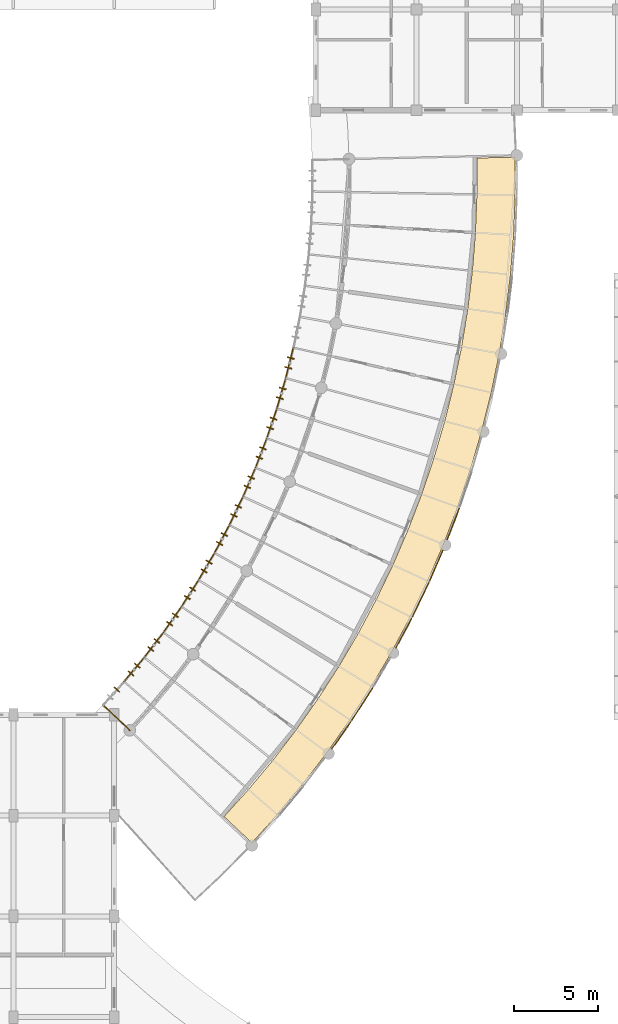
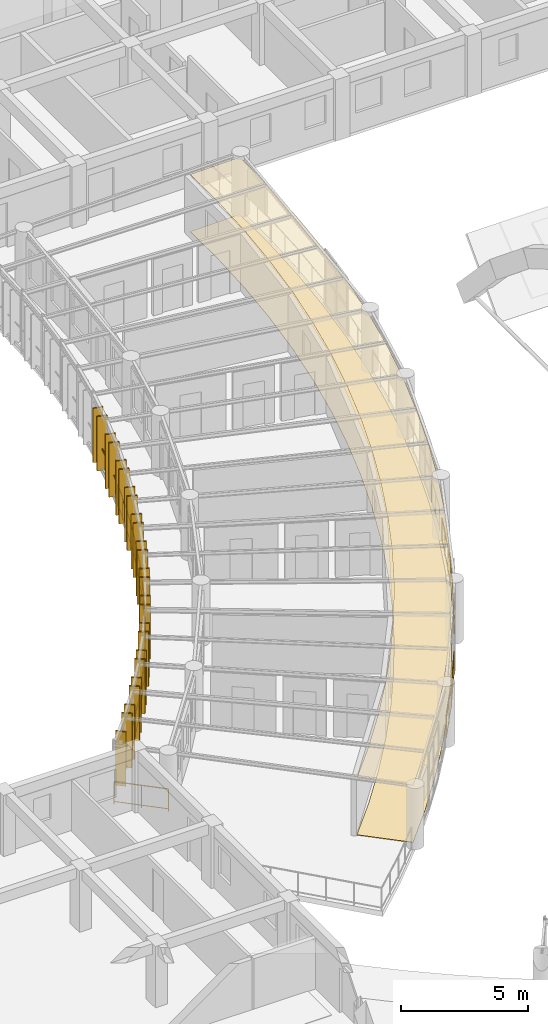
# One storey, part 111 of 123: 25 shading devices, 19 railings, 2 coverings.
"""IFC4 building model written with IfcOpenShell, lengths in metres."""

from ifc_helpers import new_model, si_unit, direction, frame, origin, origin_2d, place, context, subcontext, project, spatial, polyline, rectangle, circle, outline, extrude, material, layer, layer_set, type_object, element, save


model = new_model("IFC4")

# Units and contexts
model_context = context("Model", 3, precision=1e-05, world=origin(), true_north=direction((0.0, 1.0)))
body_context = subcontext(model_context, "Body", "Model", "MODEL_VIEW")
ifc_project = project(units=[si_unit("LENGTHUNIT", "METRE"), si_unit("AREAUNIT", "SQUARE_METRE"), si_unit("VOLUMEUNIT", "CUBIC_METRE"), si_unit("PLANEANGLEUNIT", "RADIAN"), si_unit("MASSUNIT", "GRAM", prefix="KILO"), si_unit("POWERUNIT", "WATT"), si_unit("THERMODYNAMICTEMPERATUREUNIT", "KELVIN")], contexts=[model_context])

# Site, building, storey
site_placement = place(None, origin())
site = spatial("IfcSite", under=ifc_project, at=site_placement, CompositionType="ELEMENT")
building_placement = place(site_placement, origin())
building = spatial("IfcBuilding", under=site, at=building_placement, Name="Ruvembo Vaulted Housing Court", CompositionType="ELEMENT")
storey_placement = place(building_placement, frame((0.0, 0.0, 7.699951171875)))
storey = spatial("IfcBuildingStorey", under=building, at=storey_placement, Name="L02", CompositionType="ELEMENT", Elevation=7.699951171875)

# Coverings
ifc_material_1 = material(Name="Perforated Mineral-Fibre Acoustic Tile", Category="gypsum")
ifc_layer_1 = layer(ifc_material_1, 0.02001953125, Name="Perforated Mineral-Fibre Acoustic Tile")
ifc_layer_set_1 = layer_set([ifc_layer_1], Name="Perforated Mineral-Fibre Acoustic Tile")
covering_type_1 = type_object("IfcCoveringType", Name="COV-CEIL-ACOUST", PredefinedType="CEILING", material=ifc_layer_set_1)
covering_1_placement = place(storey_placement, frame((0.0, 0.0, 2.75)))
element("IfcCovering", 1, at=covering_1_placement, inside=storey, type_object=covering_type_1, Name="Scoop SC1 L02 Shaded Access Gallery Ceiling", PredefinedType="CEILING", context=body_context, shape_type="SweptSolid", body=[
    extrude(outline(polyline([(44.201416015625, 34.37646484375), (45.718994140625, 36.053955078125), (47.23681640625, 37.876708984375), (48.6787109375, 39.76025390625), (50.0419921875, 41.701171875), (51.324951171875, 43.6962890625), (52.52490234375, 45.742431640625), (53.64013671875, 47.8359375), (54.66845703125, 49.973388671875), (55.608642578125, 52.151123046875), (56.45849609375, 54.36572265625), (57.21728515625, 56.613037109375), (57.88330078125, 58.8896484375), (58.455322265625, 61.191650390625), (58.9326171875, 63.51513671875), (59.314208984375, 65.856201171875), (59.599853515625, 68.2109375), (59.78857421875, 70.575439453125), (59.88037109375, 72.94580078125), (59.875244140625, 75.207763671875), (57.595703125, 75.156005859375), (57.600830078125, 72.989501953125), (57.6005859375, 72.985107421875), (57.5126953125, 70.712646484375), (57.512451171875, 70.7080078125), (57.33154296875, 68.441162109375), (57.3310546875, 68.436767578125), (57.057373046875, 66.17919921875), (57.056640625, 66.1748046875), (56.690673828125, 63.930419921875), (56.68994140625, 63.926025390625), (56.232421875, 61.698486328125), (56.231201171875, 61.694091796875), (55.682861328125, 59.487060546875), (55.681640625, 59.482666015625), (55.043212890625, 57.300048828125), (55.041748046875, 57.2958984375), (54.314453125, 55.14111328125), (54.31298828125, 55.136962890625), (53.498046875, 53.013916015625), (53.496337890625, 53.009521484375), (52.59521484375, 50.921875), (52.59326171875, 50.917724609375), (51.607177734375, 48.868408203125), (51.605224609375, 48.864501953125), (50.535888671875, 46.857421875), (50.53369140625, 46.853515625), (49.38330078125, 44.891845703125), (49.381103515625, 44.887939453125), (48.151123046875, 42.97509765625), (48.148681640625, 42.971435546875), (46.841552734375, 41.110595703125), (46.8388671875, 41.10693359375), (45.456298828125, 39.30126953125), (45.45361328125, 39.297607421875), (43.99853515625, 37.550048828125), (43.99560546875, 37.546630859375), (42.54248046875, 35.940185546875), (44.201416015625, 34.37646484375)])), origin(), (0.0, 0.0, 1.0), 0.02001953125),
])
ifc_material_2 = material(Name="Polished Cement-Aggregate Terrazzo", Category="stone")
ifc_layer_2 = layer(ifc_material_2, 0.02197265625, Name="Polished Cement-Aggregate Terrazzo")
ifc_layer_set_2 = layer_set([ifc_layer_2], Name="Polished Cement-Aggregate Terrazzo")
covering_type_2 = type_object("IfcCoveringType", Name="COV-FLR-CERAMIC", PredefinedType="FLOORING", material=ifc_layer_set_2)
covering_2_placement = place(storey_placement, origin())
element("IfcCovering", 2, at=covering_2_placement, inside=storey, type_object=covering_type_2, Name="Scoop SC1 L02 Shaded Access Gallery Flooring", PredefinedType="FLOORING", context=body_context, shape_type="SweptSolid", body=[
    extrude(outline(polyline([(44.201416015625, 34.37646484375), (45.718994140625, 36.053955078125), (47.23681640625, 37.876708984375), (48.6787109375, 39.76025390625), (50.0419921875, 41.701171875), (51.324951171875, 43.6962890625), (52.52490234375, 45.742431640625), (53.64013671875, 47.8359375), (54.66845703125, 49.973388671875), (55.608642578125, 52.151123046875), (56.45849609375, 54.36572265625), (57.21728515625, 56.613037109375), (57.88330078125, 58.8896484375), (58.455322265625, 61.191650390625), (58.9326171875, 63.51513671875), (59.314208984375, 65.856201171875), (59.599853515625, 68.2109375), (59.78857421875, 70.575439453125), (59.88037109375, 72.94580078125), (59.875244140625, 75.207763671875), (57.595703125, 75.156005859375), (57.600830078125, 72.989501953125), (57.6005859375, 72.985107421875), (57.5126953125, 70.712646484375), (57.512451171875, 70.7080078125), (57.33154296875, 68.441162109375), (57.3310546875, 68.436767578125), (57.057373046875, 66.17919921875), (57.056640625, 66.1748046875), (56.690673828125, 63.930419921875), (56.68994140625, 63.926025390625), (56.232421875, 61.698486328125), (56.231201171875, 61.694091796875), (55.682861328125, 59.487060546875), (55.681640625, 59.482666015625), (55.043212890625, 57.300048828125), (55.041748046875, 57.2958984375), (54.314453125, 55.14111328125), (54.31298828125, 55.136962890625), (53.498046875, 53.013916015625), (53.496337890625, 53.009521484375), (52.59521484375, 50.921875), (52.59326171875, 50.917724609375), (51.607177734375, 48.868408203125), (51.605224609375, 48.864501953125), (50.535888671875, 46.857421875), (50.53369140625, 46.853515625), (49.38330078125, 44.891845703125), (49.381103515625, 44.887939453125), (48.151123046875, 42.97509765625), (48.148681640625, 42.971435546875), (46.841552734375, 41.110595703125), (46.8388671875, 41.10693359375), (45.456298828125, 39.30126953125), (45.45361328125, 39.297607421875), (43.99853515625, 37.550048828125), (43.99560546875, 37.546630859375), (42.54248046875, 35.940185546875), (44.201416015625, 34.37646484375)])), origin(), (0.0, 0.0, 1.0), 0.02197265625),
])

# Railings
ifc_material_3 = material(Name="Galvanised Painted Steel and Laminated Glass", Category="steel")
ifc_layer_3 = layer(ifc_material_3, 0.070068359375, Name="Galvanised Painted Steel and Laminated Glass")
ifc_layer_set_3 = layer_set([ifc_layer_3], Name="Galvanised Painted Steel and Laminated Glass")
railing_type_1 = type_object("IfcRailingType", Name="RL-BALUST-1120", PredefinedType="BALUSTRADE", material=ifc_layer_set_3)
railing_1_placement = place(storey_placement, frame((48.968505859375, 39.981689453125, 0.0)))
element("IfcRailing", 3, at=railing_1_placement, inside=storey, type_object=railing_type_1, Name="L02 Perimeter Guard RL-EXT-L02-0075", PredefinedType="BALUSTRADE", context=body_context, shape_type="SweptSolid", body=[
    extrude(circle(Radius=0.02392578125, at=origin_2d()), frame((0.0, 0.0, 1.09619140625), z_axis=(0.574804697317, 0.818290632931, 0.0), x_axis=(-0.818290632931, 0.574804697317, 0.0)), (0.0, 0.0, 1.0), 1.976318359375),
    extrude(circle(Radius=0.01806640625, at=origin_2d()), frame((0.0, 0.0, 0.1201171875), z_axis=(0.574804697317, 0.818290632931, 0.0), x_axis=(-0.818290632931, 0.574804697317, 0.0)), (0.0, 0.0, 1.0), 1.976318359375),
    extrude(circle(Radius=0.02099609375, at=origin_2d()), origin(), (0.0, 0.0, 1.0), 1.072021484375),
    extrude(circle(Radius=0.02099609375, at=origin_2d()), frame((0.56787109375, 0.80859375, 0.0)), (0.0, 0.0, 1.0), 1.072021484375),
    extrude(circle(Radius=0.02099609375, at=origin_2d()), frame((1.135986328125, 1.6171875, 0.0)), (0.0, 0.0, 1.0), 1.072021484375),
])
railing_2_placement = place(storey_placement, frame((50.160400390625, 41.681884765625, 0.0)))
element("IfcRailing", 4, at=railing_2_placement, inside=storey, type_object=railing_type_1, Name="L02 Perimeter Guard RL-EXT-L02-0076", PredefinedType="BALUSTRADE", context=body_context, shape_type="SweptSolid", body=[
    extrude(circle(Radius=0.02392578125, at=origin_2d()), frame((0.0, 0.0, 1.09619140625), z_axis=(0.540838894016, 0.8411262038, 0.0), x_axis=(-0.8411262038, 0.540838894016, 0.0)), (0.0, 0.0, 1.0), 2.2763671875),
    extrude(circle(Radius=0.01806640625, at=origin_2d()), frame((0.0, 0.0, 0.1201171875), z_axis=(0.540838894016, 0.8411262038, 0.0), x_axis=(-0.8411262038, 0.540838894016, 0.0)), (0.0, 0.0, 1.0), 2.2763671875),
    extrude(circle(Radius=0.02099609375, at=origin_2d()), origin(), (0.0, 0.0, 1.0), 1.072021484375),
    extrude(circle(Radius=0.02099609375, at=origin_2d()), frame((0.61572265625, 0.95751953125, 0.0)), (0.0, 0.0, 1.0), 1.072021484375),
    extrude(circle(Radius=0.02099609375, at=origin_2d()), frame((1.231201171875, 1.914794921875, 0.0)), (0.0, 0.0, 1.0), 1.072021484375),
])
railing_3_placement = place(storey_placement, frame((52.785400390625, 45.997802734375, 0.0)))
element("IfcRailing", 5, at=railing_3_placement, inside=storey, type_object=railing_type_1, Name="L02 Perimeter Guard RL-EXT-L02-0077", PredefinedType="BALUSTRADE", context=body_context, shape_type="SweptSolid", body=[
    extrude(circle(Radius=0.02392578125, at=origin_2d()), frame((0.0, 0.0, 1.09619140625), z_axis=(0.470139378087, 0.882592185084, 0.0), x_axis=(-0.882592185084, 0.470139378087, 0.0)), (0.0, 0.0, 1.0), 1.976318359375),
    extrude(circle(Radius=0.01806640625, at=origin_2d()), frame((0.0, 0.0, 0.1201171875), z_axis=(0.470139378087, 0.882592185084, 0.0), x_axis=(-0.882592185084, 0.470139378087, 0.0)), (0.0, 0.0, 1.0), 1.976318359375),
    extrude(circle(Radius=0.02099609375, at=origin_2d()), origin(), (0.0, 0.0, 1.0), 1.072021484375),
    extrude(circle(Radius=0.02099609375, at=origin_2d()), frame((0.464599609375, 0.8720703125, 0.0)), (0.0, 0.0, 1.0), 1.072021484375),
    extrude(circle(Radius=0.02099609375, at=origin_2d()), frame((0.92919921875, 1.744384765625, 0.0)), (0.0, 0.0, 1.0), 1.072021484375),
])
railing_4_placement = place(storey_placement, frame((53.760009765625, 47.831298828125, 0.0)))
element("IfcRailing", 6, at=railing_4_placement, inside=storey, type_object=railing_type_1, Name="L02 Perimeter Guard RL-EXT-L02-0078", PredefinedType="BALUSTRADE", context=body_context, shape_type="SweptSolid", body=[
    extrude(circle(Radius=0.02392578125, at=origin_2d()), frame((0.0, 0.0, 1.09619140625), z_axis=(0.433477019687, 0.90116462059, 0.0), x_axis=(-0.90116462059, 0.433477019687, 0.0)), (0.0, 0.0, 1.0), 2.276611328125),
    extrude(circle(Radius=0.01806640625, at=origin_2d()), frame((0.0, 0.0, 0.1201171875), z_axis=(0.433477019687, 0.90116462059, 0.0), x_axis=(-0.90116462059, 0.433477019687, 0.0)), (0.0, 0.0, 1.0), 2.276611328125),
    extrude(circle(Radius=0.02099609375, at=origin_2d()), origin(), (0.0, 0.0, 1.0), 1.072021484375),
    extrude(circle(Radius=0.02099609375, at=origin_2d()), frame((0.493408203125, 1.02587890625, 0.0)), (0.0, 0.0, 1.0), 1.072021484375),
    extrude(circle(Radius=0.02099609375, at=origin_2d()), frame((0.98681640625, 2.051513671875, 0.0)), (0.0, 0.0, 1.0), 1.072021484375),
])
railing_5_placement = place(storey_placement, frame((54.788330078125, 49.9736328125, 0.0)))
element("IfcRailing", 7, at=railing_5_placement, inside=storey, type_object=railing_type_1, Name="L02 Perimeter Guard RL-EXT-L02-0079", PredefinedType="BALUSTRADE", context=body_context, shape_type="SweptSolid", body=[
    extrude(circle(Radius=0.02392578125, at=origin_2d()), frame((0.0, 0.0, 1.09619140625), z_axis=(0.39636266904, 0.91809402274, 0.0), x_axis=(-0.91809402274, 0.39636266904, 0.0)), (0.0, 0.0, 1.0), 1.9765625),
    extrude(circle(Radius=0.01806640625, at=origin_2d()), frame((0.0, 0.0, 0.1201171875), z_axis=(0.39636266904, 0.91809402274, 0.0), x_axis=(-0.91809402274, 0.39636266904, 0.0)), (0.0, 0.0, 1.0), 1.9765625),
    extrude(circle(Radius=0.02099609375, at=origin_2d()), origin(), (0.0, 0.0, 1.0), 1.072021484375),
    extrude(circle(Radius=0.02099609375, at=origin_2d()), frame((0.3916015625, 0.9072265625, 0.0)), (0.0, 0.0, 1.0), 1.072021484375),
    extrude(circle(Radius=0.02099609375, at=origin_2d()), frame((0.783447265625, 1.814697265625, 0.0)), (0.0, 0.0, 1.0), 1.072021484375),
])
railing_6_placement = place(storey_placement, frame((55.8359375, 52.4365234375, 0.0)))
element("IfcRailing", 8, at=railing_6_placement, inside=storey, type_object=railing_type_1, Name="L02 Perimeter Guard RL-EXT-L02-0080", PredefinedType="BALUSTRADE", context=body_context, shape_type="SweptSolid", body=[
    extrude(circle(Radius=0.02392578125, at=origin_2d()), frame((0.0, 0.0, 1.09619140625), z_axis=(0.358341639879, 0.933590525407, 0.0), x_axis=(-0.933590525407, 0.358341639879, 0.0)), (0.0, 0.0, 1.0), 1.9765625),
    extrude(circle(Radius=0.01806640625, at=origin_2d()), frame((0.0, 0.0, 0.1201171875), z_axis=(0.358341639879, 0.933590525407, 0.0), x_axis=(-0.933590525407, 0.358341639879, 0.0)), (0.0, 0.0, 1.0), 1.9765625),
    extrude(circle(Radius=0.02099609375, at=origin_2d()), origin(), (0.0, 0.0, 1.0), 1.072021484375),
    extrude(circle(Radius=0.02099609375, at=origin_2d()), frame((0.35400390625, 0.922607421875, 0.0)), (0.0, 0.0, 1.0), 1.072021484375),
    extrude(circle(Radius=0.02099609375, at=origin_2d()), frame((0.708251953125, 1.84521484375, 0.0)), (0.0, 0.0, 1.0), 1.072021484375),
])
ifc_material_4 = material(Name="Galvanised Painted Steel S275", Category="steel")
ifc_layer_4 = layer(ifc_material_4, 0.06005859375, Name="Galvanised Painted Steel S275")
ifc_layer_set_4 = layer_set([ifc_layer_4], Name="Galvanised Painted Steel S275")
railing_type_2 = type_object("IfcRailingType", Name="RL-GUARD-1100", PredefinedType="GUARDRAIL", material=ifc_layer_set_4)
railing_7_placement = place(storey_placement, frame((36.9306640625, 41.078125, 0.0)))
element("IfcRailing", 9, at=railing_7_placement, inside=storey, type_object=railing_type_2, Name="L02 Perimeter Guard RL-EXT-L02-0052", PredefinedType="GUARDRAIL", context=body_context, shape_type="SweptSolid", body=[
    extrude(circle(Radius=0.02392578125, at=origin_2d()), frame((0.0, 0.0, 1.076171875), z_axis=(-0.727769798271, 0.685821493338, 0.0), x_axis=(-0.685821493338, -0.727769798271, 0.0)), (0.0, 0.0, 1.0), 2.199951171875),
    extrude(circle(Radius=0.01806640625, at=origin_2d()), frame((0.0, 0.0, 0.1201171875), z_axis=(-0.727769798271, 0.685821493338, 0.0), x_axis=(-0.685821493338, -0.727769798271, 0.0)), (0.0, 0.0, 1.0), 2.199951171875),
    extrude(circle(Radius=0.02099609375, at=origin_2d()), origin(), (0.0, 0.0, 1.0), 1.052001953125),
    extrude(circle(Radius=0.02099609375, at=origin_2d()), frame((-0.800537109375, 0.75439453125, 0.0)), (0.0, 0.0, 1.0), 1.052001953125),
    extrude(circle(Radius=0.02099609375, at=origin_2d()), frame((-1.60107421875, 1.5087890625, 0.0)), (0.0, 0.0, 1.0), 1.052001953125),
])
railing_8_placement = place(storey_placement, frame((36.58837890625, 43.978759765625, 0.0)))
element("IfcRailing", 10, at=railing_8_placement, inside=storey, type_object=railing_type_2, Name="L02 Perimeter Guard RL-EXT-L02-0054", PredefinedType="GUARDRAIL", context=body_context, shape_type="SweptSolid", body=[
    extrude(circle(Radius=0.02392578125, at=origin_2d()), frame((0.0, 0.0, 1.076171875), z_axis=(0.639915648776, 0.76844515904, 0.0), x_axis=(-0.76844515904, 0.639915648776, 0.0)), (0.0, 0.0, 1.0), 1.876708984375),
    extrude(circle(Radius=0.01806640625, at=origin_2d()), frame((0.0, 0.0, 0.1201171875), z_axis=(0.639915648776, 0.76844515904, 0.0), x_axis=(-0.76844515904, 0.639915648776, 0.0)), (0.0, 0.0, 1.0), 1.876708984375),
    extrude(circle(Radius=0.02099609375, at=origin_2d()), origin(), (0.0, 0.0, 1.0), 1.052001953125),
    extrude(circle(Radius=0.02099609375, at=origin_2d()), frame((0.6005859375, 0.72119140625, 0.0)), (0.0, 0.0, 1.0), 1.052001953125),
    extrude(circle(Radius=0.02099609375, at=origin_2d()), frame((1.200927734375, 1.442138671875, 0.0)), (0.0, 0.0, 1.0), 1.052001953125),
])
railing_9_placement = place(storey_placement, frame((37.789306640625, 45.4208984375, 0.0)))
element("IfcRailing", 11, at=railing_9_placement, inside=storey, type_object=railing_type_2, Name="L02 Perimeter Guard RL-EXT-L02-0055", PredefinedType="GUARDRAIL", context=body_context, shape_type="SweptSolid", body=[
    extrude(circle(Radius=0.02392578125, at=origin_2d()), frame((0.0, 0.0, 1.076171875), z_axis=(0.607860517304, 0.794043822155, 0.0), x_axis=(-0.794043822155, 0.607860517304, 0.0)), (0.0, 0.0, 1.0), 1.87646484375),
    extrude(circle(Radius=0.01806640625, at=origin_2d()), frame((0.0, 0.0, 0.1201171875), z_axis=(0.607860517304, 0.794043822155, 0.0), x_axis=(-0.794043822155, 0.607860517304, 0.0)), (0.0, 0.0, 1.0), 1.87646484375),
    extrude(circle(Radius=0.02099609375, at=origin_2d()), origin(), (0.0, 0.0, 1.0), 1.052001953125),
    extrude(circle(Radius=0.02099609375, at=origin_2d()), frame((0.5703125, 0.7451171875, 0.0)), (0.0, 0.0, 1.0), 1.052001953125),
    extrude(circle(Radius=0.02099609375, at=origin_2d()), frame((1.140625, 1.489990234375, 0.0)), (0.0, 0.0, 1.0), 1.052001953125),
])
railing_10_placement = place(storey_placement, frame((38.929931640625, 46.910888671875, 0.0)))
element("IfcRailing", 12, at=railing_10_placement, inside=storey, type_object=railing_type_2, Name="L02 Perimeter Guard RL-EXT-L02-0056", PredefinedType="GUARDRAIL", context=body_context, shape_type="SweptSolid", body=[
    extrude(circle(Radius=0.02392578125, at=origin_2d()), frame((0.0, 0.0, 1.076171875), z_axis=(0.574858427718, 0.81825288761, 0.0), x_axis=(-0.81825288761, 0.574858427718, 0.0)), (0.0, 0.0, 1.0), 1.876708984375),
    extrude(circle(Radius=0.01806640625, at=origin_2d()), frame((0.0, 0.0, 0.1201171875), z_axis=(0.574858427718, 0.81825288761, 0.0), x_axis=(-0.81825288761, 0.574858427718, 0.0)), (0.0, 0.0, 1.0), 1.876708984375),
    extrude(circle(Radius=0.02099609375, at=origin_2d()), origin(), (0.0, 0.0, 1.0), 1.052001953125),
    extrude(circle(Radius=0.02099609375, at=origin_2d()), frame((0.53955078125, 0.767822265625, 0.0)), (0.0, 0.0, 1.0), 1.052001953125),
    extrude(circle(Radius=0.02099609375, at=origin_2d()), frame((1.078857421875, 1.53564453125, 0.0)), (0.0, 0.0, 1.0), 1.052001953125),
])
railing_11_placement = place(storey_placement, frame((40.0087890625, 48.446533203125, 0.0)))
element("IfcRailing", 13, at=railing_11_placement, inside=storey, type_object=railing_type_2, Name="L02 Perimeter Guard RL-EXT-L02-0057", PredefinedType="GUARDRAIL", context=body_context, shape_type="SweptSolid", body=[
    extrude(circle(Radius=0.02392578125, at=origin_2d()), frame((0.0, 0.0, 1.076171875), z_axis=(0.540783890821, 0.841161567969, 0.0), x_axis=(-0.841161567969, 0.540783890821, 0.0)), (0.0, 0.0, 1.0), 1.876708984375),
    extrude(circle(Radius=0.01806640625, at=origin_2d()), frame((0.0, 0.0, 0.1201171875), z_axis=(0.540783890821, 0.841161567969, 0.0), x_axis=(-0.841161567969, 0.540783890821, 0.0)), (0.0, 0.0, 1.0), 1.876708984375),
    extrude(circle(Radius=0.02099609375, at=origin_2d()), origin(), (0.0, 0.0, 1.0), 1.052001953125),
    extrude(circle(Radius=0.02099609375, at=origin_2d()), frame((0.50732421875, 0.789306640625, 0.0)), (0.0, 0.0, 1.0), 1.052001953125),
    extrude(circle(Radius=0.02099609375, at=origin_2d()), frame((1.014892578125, 1.57861328125, 0.0)), (0.0, 0.0, 1.0), 1.052001953125),
])
railing_12_placement = place(storey_placement, frame((41.023681640625, 50.025146484375, 0.0)))
element("IfcRailing", 14, at=railing_12_placement, inside=storey, type_object=railing_type_2, Name="L02 Perimeter Guard RL-EXT-L02-0058", PredefinedType="GUARDRAIL", context=body_context, shape_type="SweptSolid", body=[
    extrude(circle(Radius=0.02392578125, at=origin_2d()), frame((0.0, 0.0, 1.076171875), z_axis=(0.505859733288, 0.862615748893, 0.0), x_axis=(-0.862615748893, 0.505859733288, 0.0)), (0.0, 0.0, 1.0), 1.87646484375),
    extrude(circle(Radius=0.01806640625, at=origin_2d()), frame((0.0, 0.0, 0.1201171875), z_axis=(0.505859733288, 0.862615748893, 0.0), x_axis=(-0.862615748893, 0.505859733288, 0.0)), (0.0, 0.0, 1.0), 1.87646484375),
    extrude(circle(Radius=0.02099609375, at=origin_2d()), origin(), (0.0, 0.0, 1.0), 1.052001953125),
    extrude(circle(Radius=0.02099609375, at=origin_2d()), frame((0.474609375, 0.809326171875, 0.0)), (0.0, 0.0, 1.0), 1.052001953125),
    extrude(circle(Radius=0.02099609375, at=origin_2d()), frame((0.94921875, 1.61865234375, 0.0)), (0.0, 0.0, 1.0), 1.052001953125),
])
railing_13_placement = place(storey_placement, frame((41.972900390625, 51.643798828125, 0.0)))
element("IfcRailing", 15, at=railing_13_placement, inside=storey, type_object=railing_type_2, Name="L02 Perimeter Guard RL-EXT-L02-0059", PredefinedType="GUARDRAIL", context=body_context, shape_type="SweptSolid", body=[
    extrude(circle(Radius=0.02392578125, at=origin_2d()), frame((0.0, 0.0, 1.076171875), z_axis=(0.470115552325, 0.882604876183, 0.0), x_axis=(-0.882604876183, 0.470115552325, 0.0)), (0.0, 0.0, 1.0), 1.876708984375),
    extrude(circle(Radius=0.01806640625, at=origin_2d()), frame((0.0, 0.0, 0.1201171875), z_axis=(0.470115552325, 0.882604876183, 0.0), x_axis=(-0.882604876183, 0.470115552325, 0.0)), (0.0, 0.0, 1.0), 1.876708984375),
    extrude(circle(Radius=0.02099609375, at=origin_2d()), origin(), (0.0, 0.0, 1.0), 1.052001953125),
    extrude(circle(Radius=0.02099609375, at=origin_2d()), frame((0.441162109375, 0.828125, 0.0)), (0.0, 0.0, 1.0), 1.052001953125),
    extrude(circle(Radius=0.02099609375, at=origin_2d()), frame((0.88232421875, 1.656494140625, 0.0)), (0.0, 0.0, 1.0), 1.052001953125),
])
railing_14_placement = place(storey_placement, frame((42.855224609375, 53.30029296875, 0.0)))
element("IfcRailing", 16, at=railing_14_placement, inside=storey, type_object=railing_type_2, Name="L02 Perimeter Guard RL-EXT-L02-0060", PredefinedType="GUARDRAIL", context=body_context, shape_type="SweptSolid", body=[
    extrude(circle(Radius=0.02392578125, at=origin_2d()), frame((0.0, 0.0, 1.076171875), z_axis=(0.433631756601, 0.901090172883, 0.0), x_axis=(-0.901090172883, 0.433631756601, 0.0)), (0.0, 0.0, 1.0), 1.87646484375),
    extrude(circle(Radius=0.01806640625, at=origin_2d()), frame((0.0, 0.0, 0.1201171875), z_axis=(0.433631756601, 0.901090172883, 0.0), x_axis=(-0.901090172883, 0.433631756601, 0.0)), (0.0, 0.0, 1.0), 1.87646484375),
    extrude(circle(Radius=0.02099609375, at=origin_2d()), origin(), (0.0, 0.0, 1.0), 1.052001953125),
    extrude(circle(Radius=0.02099609375, at=origin_2d()), frame((0.40673828125, 0.845458984375, 0.0)), (0.0, 0.0, 1.0), 1.052001953125),
    extrude(circle(Radius=0.02099609375, at=origin_2d()), frame((0.813720703125, 1.69091796875, 0.0)), (0.0, 0.0, 1.0), 1.052001953125),
])
railing_15_placement = place(storey_placement, frame((43.6689453125, 54.9912109375, 0.0)))
element("IfcRailing", 17, at=railing_15_placement, inside=storey, type_object=railing_type_2, Name="L02 Perimeter Guard RL-EXT-L02-0061", PredefinedType="GUARDRAIL", context=body_context, shape_type="SweptSolid", body=[
    extrude(circle(Radius=0.02392578125, at=origin_2d()), frame((0.0, 0.0, 1.076171875), z_axis=(0.396288974503, 0.918125834887, 0.0), x_axis=(-0.918125834887, 0.396288974503, 0.0)), (0.0, 0.0, 1.0), 1.87646484375),
    extrude(circle(Radius=0.01806640625, at=origin_2d()), frame((0.0, 0.0, 0.1201171875), z_axis=(0.396288974503, 0.918125834887, 0.0), x_axis=(-0.918125834887, 0.396288974503, 0.0)), (0.0, 0.0, 1.0), 1.87646484375),
    extrude(circle(Radius=0.02099609375, at=origin_2d()), origin(), (0.0, 0.0, 1.0), 1.052001953125),
    extrude(circle(Radius=0.02099609375, at=origin_2d()), frame((0.371826171875, 0.861328125, 0.0)), (0.0, 0.0, 1.0), 1.052001953125),
    extrude(circle(Radius=0.02099609375, at=origin_2d()), frame((0.74365234375, 1.722900390625, 0.0)), (0.0, 0.0, 1.0), 1.052001953125),
])
railing_16_placement = place(storey_placement, frame((44.41259765625, 56.714111328125, 0.0)))
element("IfcRailing", 18, at=railing_16_placement, inside=storey, type_object=railing_type_2, Name="L02 Perimeter Guard RL-EXT-L02-0062", PredefinedType="GUARDRAIL", context=body_context, shape_type="SweptSolid", body=[
    extrude(circle(Radius=0.02392578125, at=origin_2d()), frame((0.0, 0.0, 1.076171875), z_axis=(0.358368836189, 0.933580086146, 0.0), x_axis=(-0.933580086146, 0.358368836189, 0.0)), (0.0, 0.0, 1.0), 1.876953125),
    extrude(circle(Radius=0.01806640625, at=origin_2d()), frame((0.0, 0.0, 0.1201171875), z_axis=(0.358368836189, 0.933580086146, 0.0), x_axis=(-0.933580086146, 0.358368836189, 0.0)), (0.0, 0.0, 1.0), 1.876953125),
    extrude(circle(Radius=0.02099609375, at=origin_2d()), origin(), (0.0, 0.0, 1.0), 1.052001953125),
    extrude(circle(Radius=0.02099609375, at=origin_2d()), frame((0.33642578125, 0.8759765625, 0.0)), (0.0, 0.0, 1.0), 1.052001953125),
    extrude(circle(Radius=0.02099609375, at=origin_2d()), frame((0.672607421875, 1.752197265625, 0.0)), (0.0, 0.0, 1.0), 1.052001953125),
])
railing_17_placement = place(storey_placement, frame((45.085205078125, 58.46630859375, 0.0)))
element("IfcRailing", 19, at=railing_17_placement, inside=storey, type_object=railing_type_2, Name="L02 Perimeter Guard RL-EXT-L02-0063", PredefinedType="GUARDRAIL", context=body_context, shape_type="SweptSolid", body=[
    extrude(circle(Radius=0.02392578125, at=origin_2d()), frame((0.0, 0.0, 1.076171875), z_axis=(0.319933403304, 0.947440033696, 0.0), x_axis=(-0.947440033696, 0.319933403304, 0.0)), (0.0, 0.0, 1.0), 1.87646484375),
    extrude(circle(Radius=0.01806640625, at=origin_2d()), frame((0.0, 0.0, 0.1201171875), z_axis=(0.319933403304, 0.947440033696, 0.0), x_axis=(-0.947440033696, 0.319933403304, 0.0)), (0.0, 0.0, 1.0), 1.87646484375),
    extrude(circle(Radius=0.02099609375, at=origin_2d()), origin(), (0.0, 0.0, 1.0), 1.052001953125),
    extrude(circle(Radius=0.02099609375, at=origin_2d()), frame((0.30029296875, 0.888916015625, 0.0)), (0.0, 0.0, 1.0), 1.052001953125),
    extrude(circle(Radius=0.02099609375, at=origin_2d()), frame((0.600341796875, 1.77783203125, 0.0)), (0.0, 0.0, 1.0), 1.052001953125),
])
railing_18_placement = place(storey_placement, frame((45.685546875, 60.244140625, 0.0)))
element("IfcRailing", 20, at=railing_18_placement, inside=storey, type_object=railing_type_2, Name="L02 Perimeter Guard RL-EXT-L02-0064", PredefinedType="GUARDRAIL", context=body_context, shape_type="SweptSolid", body=[
    extrude(circle(Radius=0.02392578125, at=origin_2d()), frame((0.0, 0.0, 1.076171875), z_axis=(0.280729242843, 0.959787003565, 0.0), x_axis=(-0.959787003565, 0.280729242843, 0.0)), (0.0, 0.0, 1.0), 1.876708984375),
    extrude(circle(Radius=0.01806640625, at=origin_2d()), frame((0.0, 0.0, 0.1201171875), z_axis=(0.280729242843, 0.959787003565, 0.0), x_axis=(-0.959787003565, 0.280729242843, 0.0)), (0.0, 0.0, 1.0), 1.876708984375),
    extrude(circle(Radius=0.02099609375, at=origin_2d()), origin(), (0.0, 0.0, 1.0), 1.052001953125),
    extrude(circle(Radius=0.02099609375, at=origin_2d()), frame((0.263427734375, 0.900634765625, 0.0)), (0.0, 0.0, 1.0), 1.052001953125),
    extrude(circle(Radius=0.02099609375, at=origin_2d()), frame((0.52685546875, 1.80126953125, 0.0)), (0.0, 0.0, 1.0), 1.052001953125),
])
railing_19_placement = place(storey_placement, frame((46.21240234375, 62.04541015625, 0.0)))
element("IfcRailing", 21, at=railing_19_placement, inside=storey, type_object=railing_type_2, Name="L02 Perimeter Guard RL-EXT-L02-0065", PredefinedType="GUARDRAIL", context=body_context, shape_type="SweptSolid", body=[
    extrude(circle(Radius=0.02392578125, at=origin_2d()), frame((0.0, 0.0, 1.076171875), z_axis=(0.241066038615, 0.970508714555, 0.0), x_axis=(-0.970508714555, 0.241066038615, 0.0)), (0.0, 0.0, 1.0), 1.876708984375),
    extrude(circle(Radius=0.01806640625, at=origin_2d()), frame((0.0, 0.0, 0.1201171875), z_axis=(0.241066038615, 0.970508714555, 0.0), x_axis=(-0.970508714555, 0.241066038615, 0.0)), (0.0, 0.0, 1.0), 1.876708984375),
    extrude(circle(Radius=0.02099609375, at=origin_2d()), origin(), (0.0, 0.0, 1.0), 1.052001953125),
    extrude(circle(Radius=0.02099609375, at=origin_2d()), frame((0.22607421875, 0.91064453125, 0.0)), (0.0, 0.0, 1.0), 1.052001953125),
    extrude(circle(Radius=0.02099609375, at=origin_2d()), frame((0.452392578125, 1.8212890625, 0.0)), (0.0, 0.0, 1.0), 1.052001953125),
])

# Shading devices
ifc_material_5 = material(Name="Kiln-Fired Terracotta Extrusion", Category="masonry")
shading_device_type = type_object("IfcShadingDeviceType", Name="SHD-FIN-420", PredefinedType="USERDEFINED", material=ifc_material_5)
for number, where, z_axis, x_axis, name in (
    (22, (36.160400390625, 43.50537109375, 0.0498046875), (0.0, 0.0, 1.0), (0.741601288413, -0.670840911859, 0.0), "Terracotta Brise-Soleil Fin #40"),
    (23, (36.996826171875, 44.46923828125, 0.0498046875), (0.0, 0.0, 1.0), (0.768495749762, -0.63985489183, 0.0), "Terracotta Brise-Soleil Fin #41"),
    (24, (37.380859375, 44.930419921875, 0.0498046875), (0.0, 0.0, 1.0), (0.768495749762, -0.63985489183, 0.0), "Terracotta Brise-Soleil Fin #42"),
    (25, (38.17724609375, 45.927734375, 0.0498046875), (0.0, 0.0, 1.0), (0.794043447551, -0.607861006646, 0.0), "Terracotta Brise-Soleil Fin #43"),
    (26, (38.5419921875, 46.404296875, 0.0498046875), (0.0, 0.0, 1.0), (0.794043447551, -0.607861006646, 0.0), "Terracotta Brise-Soleil Fin #44"),
    (27, (39.296875, 47.433349609375, 0.0498046875), (0.0, 0.0, 1.0), (0.818280160918, -0.574819604962, 0.0), "Terracotta Brise-Soleil Fin #45"),
    (28, (39.641845703125, 47.92431640625, 0.0498046875), (0.0, 0.0, 1.0), (0.818280160918, -0.574819604962, 0.0), "Terracotta Brise-Soleil Fin #46"),
    (29, (40.35400390625, 48.9833984375, 0.0498046875), (0.0, 0.0, 1.0), (0.841114539051, -0.540857034896, 0.0), "Terracotta Brise-Soleil Fin #47"),
    (30, (40.678466796875, 49.48828125, 0.0498046875), (0.0, 0.0, 1.0), (0.841114539051, -0.540857034896, 0.0), "Terracotta Brise-Soleil Fin #48"),
    (31, (41.3466796875, 50.57568359375, 0.0498046875), (0.0, 0.0, 1.0), (0.862619633753, -0.505853108583, 0.0), "Terracotta Brise-Soleil Fin #49"),
    (32, (41.650146484375, 51.09326171875, 0.0498046875), (0.0, 0.0, 1.0), (0.862619633753, -0.505853108583, 0.0), "Terracotta Brise-Soleil Fin #50"),
    (33, (42.273193359375, 52.207275390625, 0.0498046875), (0.0, 0.0, 1.0), (0.882586804261, -0.470149479362, 0.0), "Terracotta Brise-Soleil Fin #51"),
    (34, (42.55517578125, 52.73681640625, 0.0498046875), (0.0, 0.0, 1.0), (0.882586804261, -0.470149479362, 0.0), "Terracotta Brise-Soleil Fin #52"),
    (35, (43.132080078125, 53.87548828125, 0.0498046875), (0.0, 0.0, 1.0), (0.901099726423, -0.433611903711, 0.0), "Terracotta Brise-Soleil Fin #53"),
    (36, (43.39208984375, 54.416015625, 0.0498046875), (0.0, 0.0, 1.0), (0.901099726423, -0.433611903711, 0.0), "Terracotta Brise-Soleil Fin #54"),
    (37, (43.922119140625, 55.577392578125, 0.0498046875), (0.0, 0.0, 1.0), (0.918121604514, -0.396298775325, 0.0), "Terracotta Brise-Soleil Fin #55"),
    (38, (44.15966796875, 56.128173828125, 0.0498046875), (0.0, 0.0, 1.0), (0.918121604514, -0.396298775325, 0.0), "Terracotta Brise-Soleil Fin #56"),
    (39, (44.6416015625, 57.31005859375, 0.0498046875), (0.0, 0.0, 1.0), (0.933567916527, -0.358400537432, 0.0), "Terracotta Brise-Soleil Fin #57"),
    (40, (44.8564453125, 57.870361328125, 0.0498046875), (0.0, 0.0, 1.0), (0.933567916527, -0.358400537432, 0.0), "Terracotta Brise-Soleil Fin #58"),
    (41, (45.289306640625, 59.071044921875, 0.0498046875), (0.0, 0.0, 1.0), (0.947472959386, -0.319835881714, 0.0), "Terracotta Brise-Soleil Fin #59"),
    (42, (45.4814453125, 59.639404296875, 0.0498046875), (0.0, 0.0, 1.0), (0.947472959386, -0.319835881714, 0.0), "Terracotta Brise-Soleil Fin #60"),
    (43, (45.86474609375, 60.85693359375, 0.0498046875), (0.0, 0.0, 1.0), (0.959790594985, -0.280716963824, 0.0), "Terracotta Brise-Soleil Fin #61"),
    (44, (46.033203125, 61.4326171875, 0.0498046875), (0.0, 0.0, 1.0), (0.959790594985, -0.280716963824, 0.0), "Terracotta Brise-Soleil Fin #62"),
    (45, (46.3662109375, 62.664794921875, 0.0498046875), (0.0, 0.0, 1.0), (0.970481222826, -0.241176690711, 0.0), "Terracotta Brise-Soleil Fin #63"),
    (46, (46.510986328125, 63.2470703125, 0.0498046875), (0.0, 0.0, 1.0), (0.970481222826, -0.241176690711, 0.0), "Terracotta Brise-Soleil Fin #64"),
):
    element("IfcShadingDevice", number, at=place(storey_placement, frame(where, z_axis=z_axis, x_axis=x_axis)), inside=storey, type_object=shading_device_type, Name=name, ObjectType="FIN", PredefinedType="USERDEFINED", context=body_context, shape_type="SweptSolid", body=[
        extrude(rectangle(XDim=0.419921875, YDim=0.06494140625, at=origin_2d()), origin(), (0.0, 0.0, 1.0), 2.613037109375),
    ])

save(model, "model.ifc")
